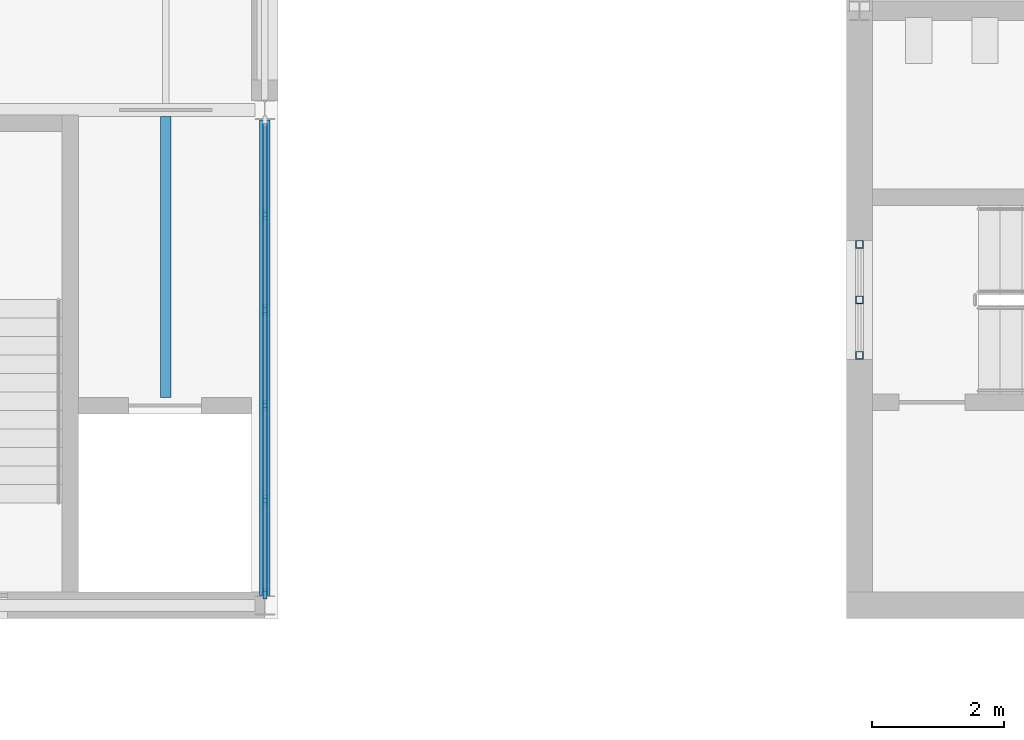
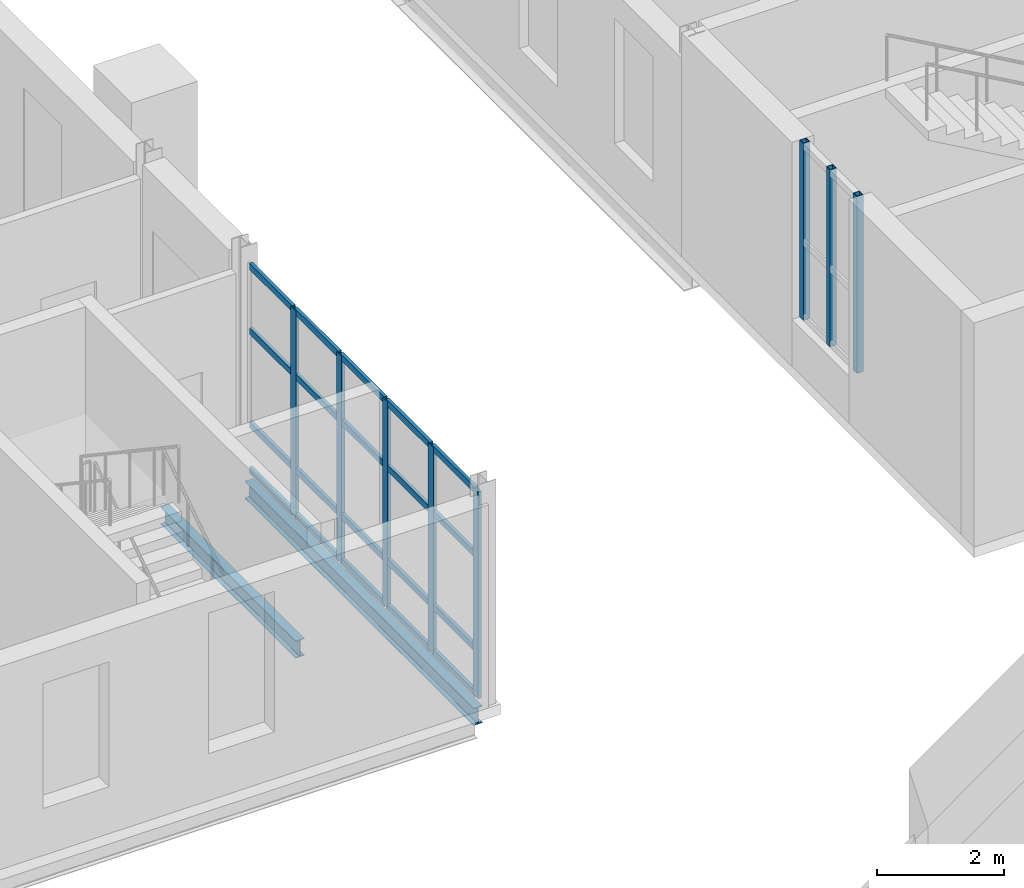
# One storey, part 38 of 134: 28 members, 2 beams, 2 elements without a shape of their own.
"""IFC4 building model written with IfcOpenShell, lengths in metres."""

from ifc_helpers import new_model, si_unit, direction, frame, origin, origin_2d, place, context, subcontext, project, spatial, rectangle, hollow_rectangle, i_section, extrude, material, layer, layer_set, material_profile, profile_set, type_object, element, aggregate, save


model = new_model("IFC4")

# Units and contexts
model_context = context("Model", 3, precision=1e-05, world=origin(), true_north=direction((0.0, 1.0)))
body_context = subcontext(model_context, "Body", "Model", "MODEL_VIEW")
ifc_project = project(units=[si_unit("LENGTHUNIT", "METRE"), si_unit("AREAUNIT", "SQUARE_METRE"), si_unit("VOLUMEUNIT", "CUBIC_METRE"), si_unit("PLANEANGLEUNIT", "RADIAN"), si_unit("MASSUNIT", "GRAM", prefix="KILO")], contexts=[model_context])

# Site, building, storey
site_placement = place(None, origin())
site = spatial("IfcSite", under=ifc_project, at=site_placement, CompositionType="ELEMENT")
building_placement = place(site_placement, origin())
building = spatial("IfcBuilding", under=site, at=building_placement, Name="Golden Quay Civic Hall", CompositionType="ELEMENT")
storey_placement = place(building_placement, frame((0.0, 0.0, 5.39990234375)))
storey = spatial("IfcBuildingStorey", under=building, at=storey_placement, Name="L01", CompositionType="ELEMENT", Elevation=5.39990234375)

# Curtain wall, members
ifc_material_1 = material(Name="Glass, laminated double glazed", Category="glass")
ifc_layer = layer(ifc_material_1, 0.199951171875)
ifc_layer_set = layer_set([ifc_layer], Name="Glazed core strip curtain wall")
curtain_wall_type_1 = type_object("IfcCurtainWallType", Name="Glazed core strip curtain wall", PredefinedType="NOTDEFINED", material=ifc_layer_set)
curtain_wall_1_placement = place(storey_placement, origin())
curtain_wall_1 = element("IfcCurtainWall", 1, at=curtain_wall_1_placement, inside=storey, type_object=curtain_wall_type_1, Name="Glazed core strip curtain wall L01 2", PredefinedType="NOTDEFINED")
ifc_material_2 = material(Name="Aluminium, anodised", Category="aluminium")
ifc_material_profile_1 = material_profile(ifc_material_2, rectangle(XDim=0.06005859375, YDim=0.159912109375, at=origin_2d()), Name="Aluminium 60 x 160")
ifc_profile_set_1 = profile_set([ifc_material_profile_1], Name="Aluminium, anodised")
member_type_1 = type_object("IfcMemberType", Name="Aluminium mullion 60 x 160", PredefinedType="MULLION", material=ifc_profile_set_1)
member_1_placement = place(storey_placement, frame((54.0, 68.9130859375, 0.0), z_axis=(0.0, 0.0, 1.0), x_axis=(1.0, 0.0, 0.0)))
member_1 = element("IfcMember", 2, at=member_1_placement, type_object=member_type_1, Name="CW2 mullion 2", PredefinedType="MULLION", context=body_context, shape_type="SweptSolid", body=[
    extrude(rectangle(XDim=0.06005859375, YDim=0.159912109375, at=origin_2d()), origin(), (0.0, 0.0, 1.0), 3.97021484375),
])
member_2_placement = place(storey_placement, frame((54.0, 67.470947265625, 0.0), z_axis=(0.0, 0.0, 1.0), x_axis=(1.0, 0.0, 0.0)))
member_2 = element("IfcMember", 3, at=member_2_placement, type_object=member_type_1, Name="CW2 mullion 3", PredefinedType="MULLION", context=body_context, shape_type="SweptSolid", body=[
    extrude(rectangle(XDim=0.06005859375, YDim=0.159912109375, at=origin_2d()), origin(), (0.0, 0.0, 1.0), 3.97021484375),
])
member_3_placement = place(storey_placement, frame((54.0, 66.029052734375, 0.0), z_axis=(0.0, 0.0, 1.0), x_axis=(1.0, 0.0, 0.0)))
member_3 = element("IfcMember", 4, at=member_3_placement, type_object=member_type_1, Name="CW2 mullion 4", PredefinedType="MULLION", context=body_context, shape_type="SweptSolid", body=[
    extrude(rectangle(XDim=0.06005859375, YDim=0.159912109375, at=origin_2d()), origin(), (0.0, 0.0, 1.0), 3.97021484375),
])
member_4_placement = place(storey_placement, frame((54.0, 64.5869140625, 0.0), z_axis=(0.0, 0.0, 1.0), x_axis=(1.0, 0.0, 0.0)))
member_4 = element("IfcMember", 5, at=member_4_placement, type_object=member_type_1, Name="CW2 mullion 5", PredefinedType="MULLION", context=body_context, shape_type="SweptSolid", body=[
    extrude(rectangle(XDim=0.06005859375, YDim=0.159912109375, at=origin_2d()), origin(), (0.0, 0.0, 1.0), 3.97021484375),
])
member_5_placement = place(storey_placement, frame((54.0, 63.175048828125, 0.0), z_axis=(0.0, 0.0, 1.0), x_axis=(1.0, 0.0, 0.0)))
member_5 = element("IfcMember", 6, at=member_5_placement, type_object=member_type_1, Name="CW2 mullion 6", PredefinedType="MULLION", context=body_context, shape_type="SweptSolid", body=[
    extrude(rectangle(XDim=0.06005859375, YDim=0.159912109375, at=origin_2d()), origin(), (0.0, 0.0, 1.0), 3.97021484375),
])
ifc_material_3 = material(Name="Aluminium, anodised", Category="aluminium")
ifc_material_profile_2 = material_profile(ifc_material_3, rectangle(XDim=0.06005859375, YDim=0.1201171875, at=origin_2d()), Name="Aluminium 60 x 120")
ifc_profile_set_2 = profile_set([ifc_material_profile_2], Name="Aluminium, anodised")
member_type_2 = type_object("IfcMemberType", Name="Aluminium transom 60 x 120", PredefinedType="USERDEFINED", material=ifc_profile_set_2)
member_6_placement = place(storey_placement, frame((54.0, 70.294921875, 0.030029296875), z_axis=(0.0, -1.0, 0.0), x_axis=(1.0, 0.0, 0.0)))
member_6 = element("IfcMember", 7, at=member_6_placement, type_object=member_type_2, Name="CW2 transom 1.1", ObjectType="TRANSOM", PredefinedType="USERDEFINED", context=body_context, shape_type="SweptSolid", body=[
    extrude(rectangle(XDim=0.06005859375, YDim=0.1201171875, at=origin_2d()), origin(), (0.0, 0.0, 1.0), 1.351806640625),
])
member_7_placement = place(storey_placement, frame((54.0, 70.294921875, 0.900146484375), z_axis=(0.0, -1.0, 0.0), x_axis=(1.0, 0.0, 0.0)))
member_7 = element("IfcMember", 8, at=member_7_placement, type_object=member_type_2, Name="CW2 transom 1.2", ObjectType="TRANSOM", PredefinedType="USERDEFINED", context=body_context, shape_type="SweptSolid", body=[
    extrude(rectangle(XDim=0.06005859375, YDim=0.1201171875, at=origin_2d()), origin(), (0.0, 0.0, 1.0), 1.351806640625),
])
member_8_placement = place(storey_placement, frame((54.0, 70.294921875, 2.7001953125), z_axis=(0.0, -1.0, 0.0), x_axis=(1.0, 0.0, 0.0)))
member_8 = element("IfcMember", 9, at=member_8_placement, type_object=member_type_2, Name="CW2 transom 1.3", ObjectType="TRANSOM", PredefinedType="USERDEFINED", context=body_context, shape_type="SweptSolid", body=[
    extrude(rectangle(XDim=0.06005859375, YDim=0.1201171875, at=origin_2d()), origin(), (0.0, 0.0, 1.0), 1.351806640625),
])
member_9_placement = place(storey_placement, frame((54.0, 70.294921875, 3.940185546875), z_axis=(0.0, -1.0, 0.0), x_axis=(1.0, 0.0, 0.0)))
member_9 = element("IfcMember", 10, at=member_9_placement, type_object=member_type_2, Name="CW2 transom 1.4", ObjectType="TRANSOM", PredefinedType="USERDEFINED", context=body_context, shape_type="SweptSolid", body=[
    extrude(rectangle(XDim=0.06005859375, YDim=0.1201171875, at=origin_2d()), origin(), (0.0, 0.0, 1.0), 1.351806640625),
])
member_10_placement = place(storey_placement, frame((54.0, 68.883056640625, 0.030029296875), z_axis=(0.0, -1.0, 0.0), x_axis=(1.0, 0.0, 0.0)))
member_10 = element("IfcMember", 11, at=member_10_placement, type_object=member_type_2, Name="CW2 transom 2.1", ObjectType="TRANSOM", PredefinedType="USERDEFINED", context=body_context, shape_type="SweptSolid", body=[
    extrude(rectangle(XDim=0.06005859375, YDim=0.1201171875, at=origin_2d()), origin(), (0.0, 0.0, 1.0), 1.382080078125),
])
member_11_placement = place(storey_placement, frame((54.0, 68.883056640625, 0.900146484375), z_axis=(0.0, -1.0, 0.0), x_axis=(1.0, 0.0, 0.0)))
member_11 = element("IfcMember", 12, at=member_11_placement, type_object=member_type_2, Name="CW2 transom 2.2", ObjectType="TRANSOM", PredefinedType="USERDEFINED", context=body_context, shape_type="SweptSolid", body=[
    extrude(rectangle(XDim=0.06005859375, YDim=0.1201171875, at=origin_2d()), origin(), (0.0, 0.0, 1.0), 1.382080078125),
])
member_12_placement = place(storey_placement, frame((54.0, 68.883056640625, 2.7001953125), z_axis=(0.0, -1.0, 0.0), x_axis=(1.0, 0.0, 0.0)))
member_12 = element("IfcMember", 13, at=member_12_placement, type_object=member_type_2, Name="CW2 transom 2.3", ObjectType="TRANSOM", PredefinedType="USERDEFINED", context=body_context, shape_type="SweptSolid", body=[
    extrude(rectangle(XDim=0.06005859375, YDim=0.1201171875, at=origin_2d()), origin(), (0.0, 0.0, 1.0), 1.382080078125),
])
member_13_placement = place(storey_placement, frame((54.0, 68.883056640625, 3.940185546875), z_axis=(0.0, -1.0, 0.0), x_axis=(1.0, 0.0, 0.0)))
member_13 = element("IfcMember", 14, at=member_13_placement, type_object=member_type_2, Name="CW2 transom 2.4", ObjectType="TRANSOM", PredefinedType="USERDEFINED", context=body_context, shape_type="SweptSolid", body=[
    extrude(rectangle(XDim=0.06005859375, YDim=0.1201171875, at=origin_2d()), origin(), (0.0, 0.0, 1.0), 1.382080078125),
])
member_14_placement = place(storey_placement, frame((54.0, 67.44091796875, 0.030029296875), z_axis=(0.0, -1.0, 0.0), x_axis=(1.0, 0.0, 0.0)))
member_14 = element("IfcMember", 15, at=member_14_placement, type_object=member_type_2, Name="CW2 transom 3.1", ObjectType="TRANSOM", PredefinedType="USERDEFINED", context=body_context, shape_type="SweptSolid", body=[
    extrude(rectangle(XDim=0.06005859375, YDim=0.1201171875, at=origin_2d()), origin(), (0.0, 0.0, 1.0), 1.3818359375),
])
member_15_placement = place(storey_placement, frame((54.0, 67.44091796875, 0.900146484375), z_axis=(0.0, -1.0, 0.0), x_axis=(1.0, 0.0, 0.0)))
member_15 = element("IfcMember", 16, at=member_15_placement, type_object=member_type_2, Name="CW2 transom 3.2", ObjectType="TRANSOM", PredefinedType="USERDEFINED", context=body_context, shape_type="SweptSolid", body=[
    extrude(rectangle(XDim=0.06005859375, YDim=0.1201171875, at=origin_2d()), origin(), (0.0, 0.0, 1.0), 1.3818359375),
])
member_16_placement = place(storey_placement, frame((54.0, 67.44091796875, 2.7001953125), z_axis=(0.0, -1.0, 0.0), x_axis=(1.0, 0.0, 0.0)))
member_16 = element("IfcMember", 17, at=member_16_placement, type_object=member_type_2, Name="CW2 transom 3.3", ObjectType="TRANSOM", PredefinedType="USERDEFINED", context=body_context, shape_type="SweptSolid", body=[
    extrude(rectangle(XDim=0.06005859375, YDim=0.1201171875, at=origin_2d()), origin(), (0.0, 0.0, 1.0), 1.3818359375),
])
member_17_placement = place(storey_placement, frame((54.0, 67.44091796875, 3.940185546875), z_axis=(0.0, -1.0, 0.0), x_axis=(1.0, 0.0, 0.0)))
member_17 = element("IfcMember", 18, at=member_17_placement, type_object=member_type_2, Name="CW2 transom 3.4", ObjectType="TRANSOM", PredefinedType="USERDEFINED", context=body_context, shape_type="SweptSolid", body=[
    extrude(rectangle(XDim=0.06005859375, YDim=0.1201171875, at=origin_2d()), origin(), (0.0, 0.0, 1.0), 1.3818359375),
])
member_18_placement = place(storey_placement, frame((54.0, 65.9990234375, 0.030029296875), z_axis=(0.0, -1.0, 0.0), x_axis=(1.0, 0.0, 0.0)))
member_18 = element("IfcMember", 19, at=member_18_placement, type_object=member_type_2, Name="CW2 transom 4.1", ObjectType="TRANSOM", PredefinedType="USERDEFINED", context=body_context, shape_type="SweptSolid", body=[
    extrude(rectangle(XDim=0.06005859375, YDim=0.1201171875, at=origin_2d()), origin(), (0.0, 0.0, 1.0), 1.382080078125),
])
member_19_placement = place(storey_placement, frame((54.0, 65.9990234375, 0.900146484375), z_axis=(0.0, -1.0, 0.0), x_axis=(1.0, 0.0, 0.0)))
member_19 = element("IfcMember", 20, at=member_19_placement, type_object=member_type_2, Name="CW2 transom 4.2", ObjectType="TRANSOM", PredefinedType="USERDEFINED", context=body_context, shape_type="SweptSolid", body=[
    extrude(rectangle(XDim=0.06005859375, YDim=0.1201171875, at=origin_2d()), origin(), (0.0, 0.0, 1.0), 1.382080078125),
])
member_20_placement = place(storey_placement, frame((54.0, 65.9990234375, 2.7001953125), z_axis=(0.0, -1.0, 0.0), x_axis=(1.0, 0.0, 0.0)))
member_20 = element("IfcMember", 21, at=member_20_placement, type_object=member_type_2, Name="CW2 transom 4.3", ObjectType="TRANSOM", PredefinedType="USERDEFINED", context=body_context, shape_type="SweptSolid", body=[
    extrude(rectangle(XDim=0.06005859375, YDim=0.1201171875, at=origin_2d()), origin(), (0.0, 0.0, 1.0), 1.382080078125),
])
member_21_placement = place(storey_placement, frame((54.0, 65.9990234375, 3.940185546875), z_axis=(0.0, -1.0, 0.0), x_axis=(1.0, 0.0, 0.0)))
member_21 = element("IfcMember", 22, at=member_21_placement, type_object=member_type_2, Name="CW2 transom 4.4", ObjectType="TRANSOM", PredefinedType="USERDEFINED", context=body_context, shape_type="SweptSolid", body=[
    extrude(rectangle(XDim=0.06005859375, YDim=0.1201171875, at=origin_2d()), origin(), (0.0, 0.0, 1.0), 1.382080078125),
])
member_22_placement = place(storey_placement, frame((54.0, 64.556884765625, 0.030029296875), z_axis=(0.0, -1.0, 0.0), x_axis=(1.0, 0.0, 0.0)))
member_22 = element("IfcMember", 23, at=member_22_placement, type_object=member_type_2, Name="CW2 transom 5.1", ObjectType="TRANSOM", PredefinedType="USERDEFINED", context=body_context, shape_type="SweptSolid", body=[
    extrude(rectangle(XDim=0.06005859375, YDim=0.1201171875, at=origin_2d()), origin(), (0.0, 0.0, 1.0), 1.351806640625),
])
member_23_placement = place(storey_placement, frame((54.0, 64.556884765625, 0.900146484375), z_axis=(0.0, -1.0, 0.0), x_axis=(1.0, 0.0, 0.0)))
member_23 = element("IfcMember", 24, at=member_23_placement, type_object=member_type_2, Name="CW2 transom 5.2", ObjectType="TRANSOM", PredefinedType="USERDEFINED", context=body_context, shape_type="SweptSolid", body=[
    extrude(rectangle(XDim=0.06005859375, YDim=0.1201171875, at=origin_2d()), origin(), (0.0, 0.0, 1.0), 1.351806640625),
])
member_24_placement = place(storey_placement, frame((54.0, 64.556884765625, 2.7001953125), z_axis=(0.0, -1.0, 0.0), x_axis=(1.0, 0.0, 0.0)))
member_24 = element("IfcMember", 25, at=member_24_placement, type_object=member_type_2, Name="CW2 transom 5.3", ObjectType="TRANSOM", PredefinedType="USERDEFINED", context=body_context, shape_type="SweptSolid", body=[
    extrude(rectangle(XDim=0.06005859375, YDim=0.1201171875, at=origin_2d()), origin(), (0.0, 0.0, 1.0), 1.351806640625),
])
member_25_placement = place(storey_placement, frame((54.0, 64.556884765625, 3.940185546875), z_axis=(0.0, -1.0, 0.0), x_axis=(1.0, 0.0, 0.0)))
member_25 = element("IfcMember", 26, at=member_25_placement, type_object=member_type_2, Name="CW2 transom 5.4", ObjectType="TRANSOM", PredefinedType="USERDEFINED", context=body_context, shape_type="SweptSolid", body=[
    extrude(rectangle(XDim=0.06005859375, YDim=0.1201171875, at=origin_2d()), origin(), (0.0, 0.0, 1.0), 1.351806640625),
])
aggregate(curtain_wall_1, [member_1, member_2, member_3, member_4, member_5, member_6, member_7, member_8, member_9, member_10, member_11, member_12, member_13, member_14, member_15, member_16, member_17, member_18, member_19, member_20, member_21, member_22, member_23, member_24, member_25])

ifc_material_4 = material(Name="Fire-resisting glass and steel", Category="steel")
curtain_wall_type_2 = type_object("IfcCurtainWallType", Name="Fire-resisting glazed stair curtain wall EI 120", PredefinedType="NOTDEFINED", material=ifc_material_4)
curtain_wall_2_placement = place(storey_placement, origin())
curtain_wall_2 = element("IfcCurtainWall", 27, at=curtain_wall_2_placement, inside=storey, type_object=curtain_wall_type_2, Name="CW4 stair curtain wall", PredefinedType="NOTDEFINED")
ifc_material_5 = material(Name="Steel S355", Category="steel")
ifc_material_profile_3 = material_profile(ifc_material_5, hollow_rectangle(XDim=0.1201171875, YDim=0.1201171875, WallThickness=0.012451171875, at=origin_2d()), Name="SHS 120x120x12.5")
ifc_profile_set_3 = profile_set([ifc_material_profile_3], Name="Steel S355")
member_type_3 = type_object("IfcMemberType", Name="Fire-resisting steel stair mullion 120 x 120", PredefinedType="MULLION", material=ifc_profile_set_3)
member_26_placement = place(storey_placement, frame((63.0, 66.784912109375, 0.900146484375), z_axis=(0.0, 0.0, 1.0), x_axis=(-1.0, 0.0, 0.0)))
member_26 = element("IfcMember", 28, at=member_26_placement, type_object=member_type_3, Name="CW4 mullion 1", PredefinedType="MULLION", context=body_context, shape_type="SweptSolid", body=[
    extrude(hollow_rectangle(XDim=0.1201171875, YDim=0.1201171875, WallThickness=0.012451171875, at=origin_2d()), origin(), (0.0, 0.0, 1.0), 3.39990234375),
])
member_27_placement = place(storey_placement, frame((63.0, 67.625, 0.900146484375), z_axis=(0.0, 0.0, 1.0), x_axis=(-1.0, 0.0, 0.0)))
member_27 = element("IfcMember", 29, at=member_27_placement, type_object=member_type_3, Name="CW4 mullion 2", PredefinedType="MULLION", context=body_context, shape_type="SweptSolid", body=[
    extrude(hollow_rectangle(XDim=0.1201171875, YDim=0.1201171875, WallThickness=0.012451171875, at=origin_2d()), origin(), (0.0, 0.0, 1.0), 3.39990234375),
])
member_28_placement = place(storey_placement, frame((63.0, 68.465087890625, 0.900146484375), z_axis=(0.0, 0.0, 1.0), x_axis=(-1.0, 0.0, 0.0)))
member_28 = element("IfcMember", 30, at=member_28_placement, type_object=member_type_3, Name="CW4 mullion 3", PredefinedType="MULLION", context=body_context, shape_type="SweptSolid", body=[
    extrude(hollow_rectangle(XDim=0.1201171875, YDim=0.1201171875, WallThickness=0.012451171875, at=origin_2d()), origin(), (0.0, 0.0, 1.0), 3.39990234375),
])
aggregate(curtain_wall_2, [member_26, member_27, member_28])

# Beams
ifc_material_6 = material(Name="Steel S355", Category="steel")
ifc_material_profile_4 = material_profile(ifc_material_6, i_section(OverallWidth=0.159912109375, OverallDepth=0.330078125, WebThickness=0.007568359375, FlangeThickness=0.011474609375, FilletRadius=0.01806640625, at=origin_2d()), Name="IPE 330")
ifc_profile_set_4 = profile_set([ifc_material_profile_4], Name="Steel S355")
beam_type_1 = type_object("IfcBeamType", Name="Steel beam IPE 330", PredefinedType="BEAM", material=ifc_profile_set_4)
beam_1_placement = place(storey_placement, frame((54.0, 63.14990234375, -0.364990234375), z_axis=(0.0, 1.0, 0.0), x_axis=(-1.0, 0.0, 0.0)))
element("IfcBeam", 31, at=beam_1_placement, inside=storey, type_object=beam_type_1, Name="Beam S54-63", PredefinedType="BEAM", context=body_context, shape_type="SweptSolid", body=[
    extrude(i_section(OverallWidth=0.159912109375, OverallDepth=0.330078125, WebThickness=0.007568359375, FlangeThickness=0.011474609375, FilletRadius=0.01806640625, at=origin_2d()), origin(), (0.0, 0.0, 1.0), 7.2001953125),
])
ifc_material_7 = material(Name="Steel S355", Category="steel")
ifc_material_profile_5 = material_profile(ifc_material_7, i_section(OverallWidth=0.159912109375, OverallDepth=0.330078125, WebThickness=0.007568359375, FlangeThickness=0.011474609375, FilletRadius=0.01806640625, at=origin_2d()), Name="IPE 330")
ifc_profile_set_5 = profile_set([ifc_material_profile_5], Name="Steel S355")
beam_type_2 = type_object("IfcBeamType", Name="Steel joist IPE 330", PredefinedType="JOIST", material=ifc_profile_set_5)
beam_2_placement = place(storey_placement, frame((52.5, 66.14990234375, -0.364990234375), z_axis=(0.0, 1.0, 0.0), x_axis=(-1.0, 0.0, 0.0)))
element("IfcBeam", 32, at=beam_2_placement, inside=storey, type_object=beam_type_2, Name="Joist J52.5-63-1", PredefinedType="JOIST", context=body_context, shape_type="SweptSolid", body=[
    extrude(i_section(OverallWidth=0.159912109375, OverallDepth=0.330078125, WebThickness=0.007568359375, FlangeThickness=0.011474609375, FilletRadius=0.01806640625, at=origin_2d()), origin(), (0.0, 0.0, 1.0), 4.25),
])

save(model, "model.ifc")
